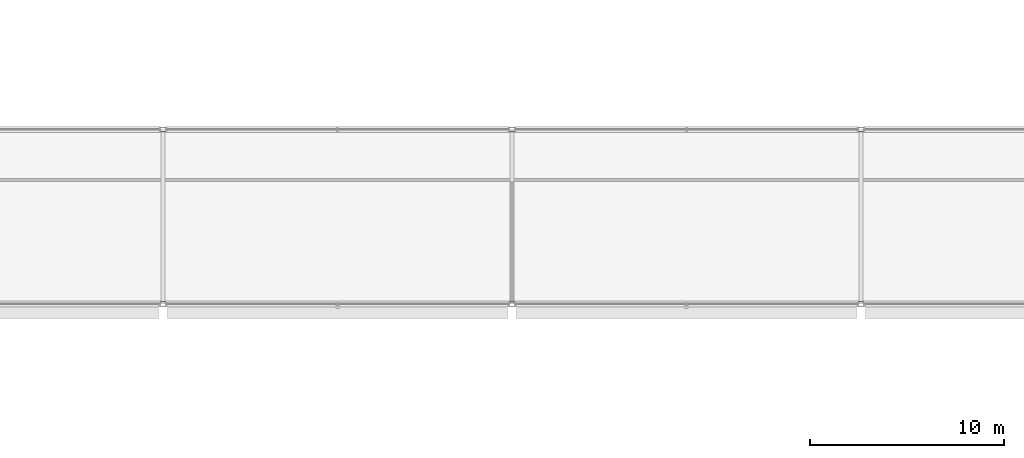
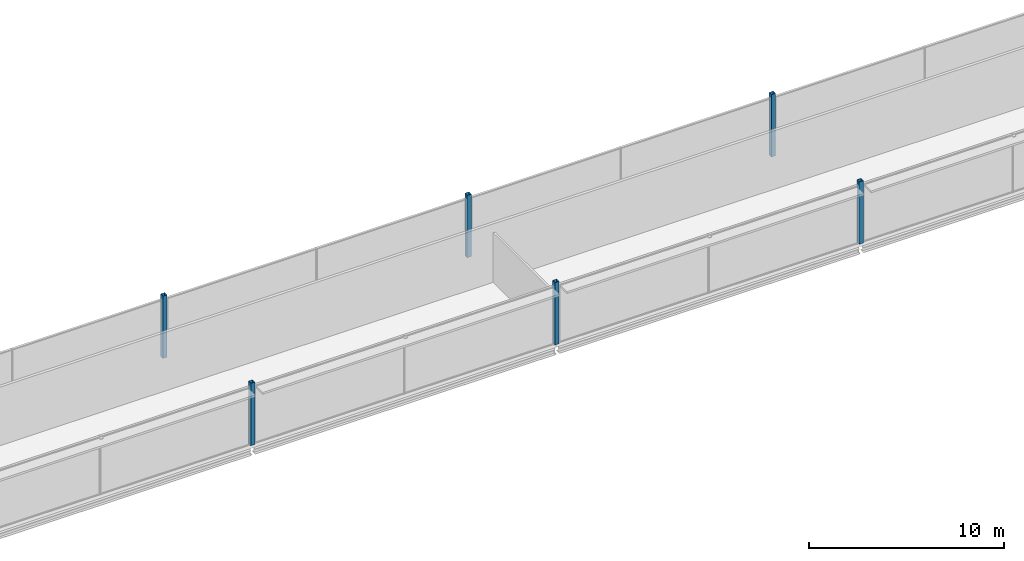
# One storey, part 8 of 96: 6 columns.
"""IFC4 building model written with IfcOpenShell, lengths in metres."""

from ifc_helpers import new_model, si_unit, direction, frame, origin, origin_2d, place, context, subcontext, project, spatial, hollow_rectangle, extrude, material, material_profile, profile_set, type_object, element, save


model = new_model("IFC4")

# Units and contexts
model_context = context("Model", 3, precision=1e-05, world=origin(), true_north=direction((0.0, 1.0)))
body_context = subcontext(model_context, "Body", "Model", "MODEL_VIEW")
ifc_project = project(units=[si_unit("LENGTHUNIT", "METRE"), si_unit("AREAUNIT", "SQUARE_METRE"), si_unit("VOLUMEUNIT", "CUBIC_METRE"), si_unit("PLANEANGLEUNIT", "RADIAN"), si_unit("MASSUNIT", "GRAM", prefix="KILO")], contexts=[model_context])

# Site, building, storey
site_placement = place(None, origin())
site = spatial("IfcSite", under=ifc_project, at=site_placement, CompositionType="ELEMENT")
building_placement = place(site_placement, origin())
building = spatial("IfcBuilding", under=site, at=building_placement, Name="Kisiwana Market Hall", CompositionType="ELEMENT")
storey_placement = place(building_placement, frame((0.0, 0.0, 25.5)))
storey = spatial("IfcBuildingStorey", under=building, at=storey_placement, Name="L05", CompositionType="ELEMENT", Elevation=25.5)

# Columns
ifc_material = material(Name="Steel S355", Category="steel")
ifc_material_profile = material_profile(ifc_material, hollow_rectangle(XDim=0.25, YDim=0.25, WallThickness=0.012451171875, at=origin_2d()), Name="SHS 250x250x12.5")
ifc_profile_set = profile_set([ifc_material_profile], Name="Steel S355")
column_type = type_object("IfcColumnType", Name="COL-STL-SHS250", PredefinedType="COLUMN", material=ifc_profile_set)
for number, where, z_axis, x_axis, name in (
    (1, (81.0, 93.0, 0.0), (0.0, 0.0, 1.0), (1.0, 0.0, 0.0), "Column M/10 (L05) C-0923"),
    (2, (81.0, 102.0, 0.0), (0.0, 0.0, 1.0), (1.0, 0.0, 0.0), "Column N/10 (L05) C-0924"),
    (3, (99.0, 93.0, 0.0), (0.0, 0.0, 1.0), (1.0, 0.0, 0.0), "Column M/12 (L05) C-0927"),
    (4, (99.0, 102.0, 0.0), (0.0, 0.0, 1.0), (1.0, 0.0, 0.0), "Column N/12 (L05) C-0928"),
    (5, (117.0, 93.0, 0.0), (0.0, 0.0, 1.0), (1.0, 0.0, 0.0), "Column M/14 (L05) C-0931"),
    (6, (117.0, 102.0, 0.0), (0.0, 0.0, 1.0), (1.0, 0.0, 0.0), "Column N/14 (L05) C-0932"),
):
    element("IfcColumn", number, at=place(storey_placement, frame(where, z_axis=z_axis, x_axis=x_axis)), inside=storey, type_object=column_type, Name=name, PredefinedType="COLUMN", context=body_context, shape_type="SweptSolid", body=[
        extrude(hollow_rectangle(XDim=0.25, YDim=0.25, WallThickness=0.012451171875, at=origin_2d()), origin(), (0.0, 0.0, 1.0), 3.89990234375),
    ])

save(model, "model.ifc")
